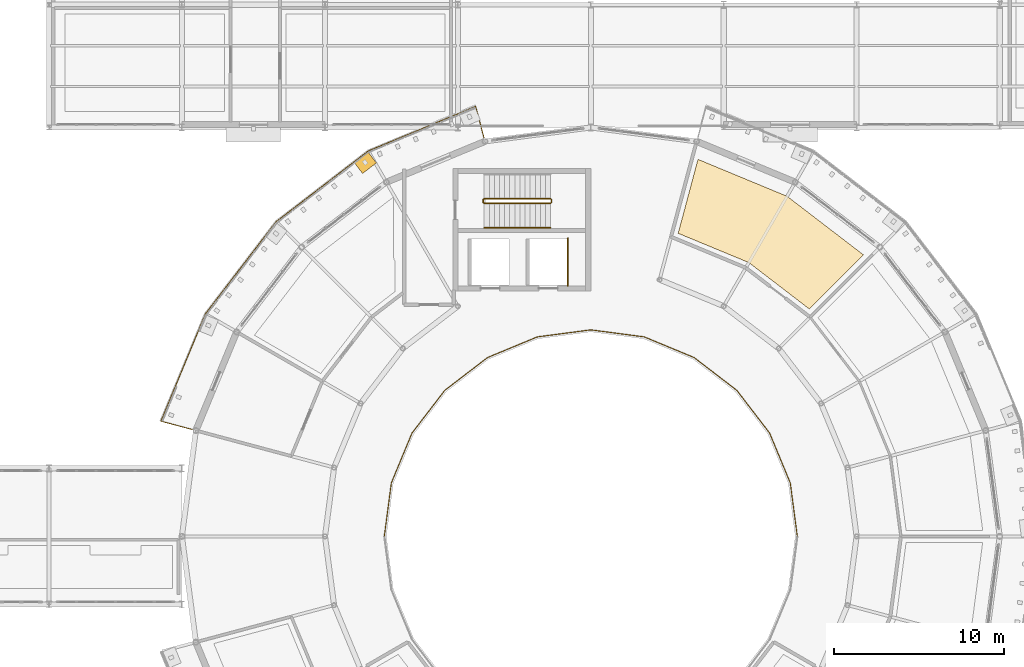
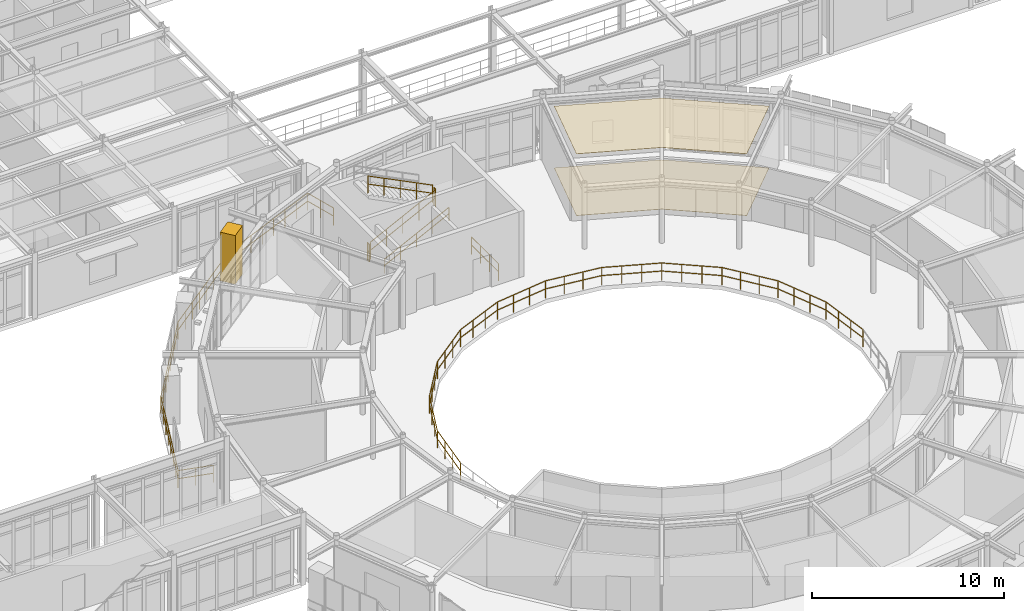
# One storey, part 87 of 90: 8 railings, 2 coverings, 1 shading device.
"""IFC4 building model written with IfcOpenShell, lengths in metres."""

from ifc_helpers import new_model, si_unit, derived_unit, direction, frame, origin, origin_2d, place, context, subcontext, project, spatial, polyline, rectangle, circle, outline, extrude, material, layer, layer_set, type_object, element, save


model = new_model("IFC4")

# Units and contexts
model_context = context("Model", 3, precision=1e-05, world=origin(), true_north=direction((0.0, 1.0)))
body_context = subcontext(model_context, "Body", "Model", "MODEL_VIEW")
ifc_project = project(units=[si_unit("LENGTHUNIT", "METRE"), si_unit("AREAUNIT", "SQUARE_METRE"), si_unit("VOLUMEUNIT", "CUBIC_METRE"), si_unit("PLANEANGLEUNIT", "RADIAN"), si_unit("MASSUNIT", "GRAM", prefix="KILO"), derived_unit("THERMALTRANSMITTANCEUNIT", [(si_unit("POWERUNIT", "WATT"), 1), (si_unit("AREAUNIT", "SQUARE_METRE"), -1), (si_unit("THERMODYNAMICTEMPERATUREUNIT", "KELVIN"), -1)])], contexts=[model_context])

# Site, building, storey
site_placement = place(None, origin())
site = spatial("IfcSite", under=ifc_project, at=site_placement, CompositionType="ELEMENT")
building_placement = place(site_placement, origin())
building = spatial("IfcBuilding", under=site, at=building_placement, Name="Yasenodar Specialist Clinic", CompositionType="ELEMENT")
storey_placement = place(building_placement, frame((0.0, 0.0, 9.0)))
storey = spatial("IfcBuildingStorey", under=building, at=storey_placement, Name="L02", CompositionType="ELEMENT", Elevation=9.0)

# Coverings
ifc_material_1 = material(Name="Hygienic Acoustic Mineral-Fibre Ceiling")
ifc_layer_1 = layer(ifc_material_1, 0.02490234375)
ifc_layer_set_1 = layer_set([ifc_layer_1], Name="Hygienic Acoustic Mineral-Fibre Ceiling")
covering_type_1 = type_object("IfcCoveringType", Name="COV-CEIL-AC", PredefinedType="CEILING", material=ifc_layer_set_1)
covering_1_placement = place(storey_placement, frame((0.0, 0.0, 3.925048828125)))
element("IfcCovering", 1, at=covering_1_placement, inside=storey, type_object=covering_type_1, Name="L02 Apheresis Treatment Room Acoustic Ceiling", PredefinedType="CEILING", context=body_context, shape_type="SweptSolid", body=[
    extrude(outline(polyline([(90.261962890625, 74.8720703125), (90.23388671875, 74.885009765625), (86.1279296875, 76.5859375), (87.291015625, 80.927001953125), (92.52294921875, 78.759033203125), (97.0009765625, 75.323974609375), (93.822998046875, 72.14599609375), (90.31298828125, 74.839111328125), (90.2880859375, 74.85693359375), (90.261962890625, 74.8720703125)])), origin(), (0.0, 0.0, 1.0), 0.02490234375),
])
ifc_material_2 = material(Name="Seamless Epoxy Terrazzo Clinical Flooring")
ifc_layer_2 = layer(ifc_material_2, 0.02001953125)
ifc_layer_set_2 = layer_set([ifc_layer_2], Name="Seamless Epoxy Terrazzo Clinical Flooring")
covering_type_2 = type_object("IfcCoveringType", Name="COV-FLR-TERR", PredefinedType="FLOORING", material=ifc_layer_set_2)
covering_2_placement = place(storey_placement, origin())
element("IfcCovering", 2, at=covering_2_placement, inside=storey, type_object=covering_type_2, Name="L02 Apheresis Treatment Room Terrazzo Flooring", PredefinedType="FLOORING", context=body_context, shape_type="SweptSolid", body=[
    extrude(outline(polyline([(90.261962890625, 74.8720703125), (90.23388671875, 74.885009765625), (86.1279296875, 76.5859375), (87.291015625, 80.927001953125), (92.52294921875, 78.759033203125), (97.0009765625, 75.323974609375), (93.822998046875, 72.14599609375), (90.31298828125, 74.839111328125), (90.2880859375, 74.85693359375), (90.261962890625, 74.8720703125)])), origin(), (0.0, 0.0, 1.0), 0.02001953125),
])

# Railings
ifc_material_3 = material(Name="Bronze Anodized Aluminium and Larch Balustrade", Category="aluminium")
railing_type_1 = type_object("IfcRailingType", Name="RL-BAL-1120", PredefinedType="BALUSTRADE", material=ifc_material_3)
railing_1_placement = place(storey_placement, frame((74.7314453125, 82.194580078125, 0.0)))
element("IfcRailing", 3, at=railing_1_placement, inside=storey, type_object=railing_type_1, Name="L02 Drum V1 Balcony Balustrade 2", PredefinedType="BALUSTRADE", context=body_context, shape_type="SweptSolid", body=[
    extrude(circle(Radius=0.02392578125, at=origin_2d()), frame((0.0, 0.0, 1.09619140625), z_axis=(-0.258885930111, 0.965907902023, 0.0), x_axis=(-0.965907902023, -0.258885930111, 0.0)), (0.0, 0.0, 1.0), 1.900146484375),
    extrude(circle(Radius=0.02392578125, at=origin_2d()), frame((0.0, 0.0, 0.58251953125), z_axis=(-0.258885930111, 0.965907902023, 0.0), x_axis=(-0.965907902023, -0.258885930111, 0.0)), (0.0, 0.0, 1.0), 1.900146484375),
    extrude(circle(Radius=0.02392578125, at=origin_2d()), frame((-0.491943359375, 1.83544921875, 1.09619140625), z_axis=(-0.923878931839, -0.382684882513, 0.0), x_axis=(0.382684882513, -0.923878931839, 0.0)), (0.0, 0.0, 1.0), 6.818603515625),
    extrude(circle(Radius=0.02392578125, at=origin_2d()), frame((-0.491943359375, 1.83544921875, 0.58251953125), z_axis=(-0.923878931839, -0.382684882513, 0.0), x_axis=(0.382684882513, -0.923878931839, 0.0)), (0.0, 0.0, 1.0), 6.818603515625),
    extrude(circle(Radius=0.02392578125, at=origin_2d()), frame((-6.79150390625, -0.77392578125, 1.09619140625), z_axis=(-0.793330238247, -0.608791534996, 0.0), x_axis=(0.608791534996, -0.793330238247, 0.0)), (0.0, 0.0, 1.0), 6.818603515625),
    extrude(circle(Radius=0.02392578125, at=origin_2d()), frame((-6.79150390625, -0.77392578125, 0.58251953125), z_axis=(-0.793330238247, -0.608791534996, 0.0), x_axis=(0.608791534996, -0.793330238247, 0.0)), (0.0, 0.0, 1.0), 6.818603515625),
    extrude(circle(Radius=0.02392578125, at=origin_2d()), frame((-12.200927734375, -4.925048828125, 1.09619140625), z_axis=(-0.608791534996, -0.793330238247, 0.0), x_axis=(0.793330238247, -0.608791534996, 0.0)), (0.0, 0.0, 1.0), 6.818603515625),
    extrude(circle(Radius=0.02392578125, at=origin_2d()), frame((-12.200927734375, -4.925048828125, 0.58251953125), z_axis=(-0.608791534996, -0.793330238247, 0.0), x_axis=(0.793330238247, -0.608791534996, 0.0)), (0.0, 0.0, 1.0), 6.818603515625),
    extrude(circle(Radius=0.02392578125, at=origin_2d()), frame((-16.35205078125, -10.33447265625, 1.09619140625), z_axis=(-0.382672223843, -0.923884175154, 0.0), x_axis=(0.923884175154, -0.382672223843, 0.0)), (0.0, 0.0, 1.0), 6.81884765625),
    extrude(circle(Radius=0.02392578125, at=origin_2d()), frame((-16.35205078125, -10.33447265625, 0.58251953125), z_axis=(-0.382672223843, -0.923884175154, 0.0), x_axis=(0.923884175154, -0.382672223843, 0.0)), (0.0, 0.0, 1.0), 6.81884765625),
    extrude(circle(Radius=0.02392578125, at=origin_2d()), frame((-18.96142578125, -16.63427734375, 1.09619140625), z_axis=(0.96593141835, -0.258798174346, 0.0), x_axis=(0.258798174346, 0.96593141835, 0.0)), (0.0, 0.0, 1.0), 1.89990234375),
    extrude(circle(Radius=0.02392578125, at=origin_2d()), frame((-18.96142578125, -16.63427734375, 0.58251953125), z_axis=(0.96593141835, -0.258798174346, 0.0), x_axis=(0.258798174346, 0.96593141835, 0.0)), (0.0, 0.0, 1.0), 1.89990234375),
    extrude(circle(Radius=0.02099609375, at=origin_2d()), origin(), (0.0, 0.0, 1.0), 1.072021484375),
    extrude(circle(Radius=0.02099609375, at=origin_2d()), frame((-0.24609375, 0.917724609375, 0.0)), (0.0, 0.0, 1.0), 1.072021484375),
    extrude(circle(Radius=0.02099609375, at=origin_2d()), frame((-0.491943359375, 1.83544921875, 0.0)), (0.0, 0.0, 1.0), 1.072021484375),
    extrude(circle(Radius=0.02099609375, at=origin_2d()), frame((-1.391845703125, 1.462646484375, 0.0)), (0.0, 0.0, 1.0), 1.072021484375),
    extrude(circle(Radius=0.02099609375, at=origin_2d()), frame((-2.291748046875, 1.08984375, 0.0)), (0.0, 0.0, 1.0), 1.072021484375),
    extrude(circle(Radius=0.02099609375, at=origin_2d()), frame((-3.191650390625, 0.717041015625, 0.0)), (0.0, 0.0, 1.0), 1.072021484375),
    extrude(circle(Radius=0.02099609375, at=origin_2d()), frame((-4.091796875, 0.344482421875, 0.0)), (0.0, 0.0, 1.0), 1.072021484375),
    extrude(circle(Radius=0.02099609375, at=origin_2d()), frame((-4.99169921875, -0.0283203125, 0.0)), (0.0, 0.0, 1.0), 1.072021484375),
    extrude(circle(Radius=0.02099609375, at=origin_2d()), frame((-5.8916015625, -0.401123046875, 0.0)), (0.0, 0.0, 1.0), 1.072021484375),
    extrude(circle(Radius=0.02099609375, at=origin_2d()), frame((-6.79150390625, -0.77392578125, 0.0)), (0.0, 0.0, 1.0), 1.072021484375),
    extrude(circle(Radius=0.02099609375, at=origin_2d()), frame((-7.564208984375, -1.366943359375, 0.0)), (0.0, 0.0, 1.0), 1.072021484375),
    extrude(circle(Radius=0.02099609375, at=origin_2d()), frame((-8.337158203125, -1.9599609375, 0.0)), (0.0, 0.0, 1.0), 1.072021484375),
    extrude(circle(Radius=0.02099609375, at=origin_2d()), frame((-9.10986328125, -2.552978515625, 0.0)), (0.0, 0.0, 1.0), 1.072021484375),
    extrude(circle(Radius=0.02099609375, at=origin_2d()), frame((-9.882568359375, -3.14599609375, 0.0)), (0.0, 0.0, 1.0), 1.072021484375),
    extrude(circle(Radius=0.02099609375, at=origin_2d()), frame((-10.6552734375, -3.739013671875, 0.0)), (0.0, 0.0, 1.0), 1.072021484375),
    extrude(circle(Radius=0.02099609375, at=origin_2d()), frame((-11.42822265625, -4.33203125, 0.0)), (0.0, 0.0, 1.0), 1.072021484375),
    extrude(circle(Radius=0.02099609375, at=origin_2d()), frame((-12.200927734375, -4.925048828125, 0.0)), (0.0, 0.0, 1.0), 1.072021484375),
    extrude(circle(Radius=0.02099609375, at=origin_2d()), frame((-12.7939453125, -5.69775390625, 0.0)), (0.0, 0.0, 1.0), 1.072021484375),
    extrude(circle(Radius=0.02099609375, at=origin_2d()), frame((-13.386962890625, -6.470703125, 0.0)), (0.0, 0.0, 1.0), 1.072021484375),
    extrude(circle(Radius=0.02099609375, at=origin_2d()), frame((-13.97998046875, -7.243408203125, 0.0)), (0.0, 0.0, 1.0), 1.072021484375),
    extrude(circle(Radius=0.02099609375, at=origin_2d()), frame((-14.572998046875, -8.01611328125, 0.0)), (0.0, 0.0, 1.0), 1.072021484375),
    extrude(circle(Radius=0.02099609375, at=origin_2d()), frame((-15.166015625, -8.788818359375, 0.0)), (0.0, 0.0, 1.0), 1.072021484375),
    extrude(circle(Radius=0.02099609375, at=origin_2d()), frame((-15.759033203125, -9.561767578125, 0.0)), (0.0, 0.0, 1.0), 1.072021484375),
    extrude(circle(Radius=0.02099609375, at=origin_2d()), frame((-16.35205078125, -10.33447265625, 0.0)), (0.0, 0.0, 1.0), 1.072021484375),
    extrude(circle(Radius=0.02099609375, at=origin_2d()), frame((-16.724853515625, -11.234375, 0.0)), (0.0, 0.0, 1.0), 1.072021484375),
    extrude(circle(Radius=0.02099609375, at=origin_2d()), frame((-17.09765625, -12.134521484375, 0.0)), (0.0, 0.0, 1.0), 1.072021484375),
    extrude(circle(Radius=0.02099609375, at=origin_2d()), frame((-17.470458984375, -13.034423828125, 0.0)), (0.0, 0.0, 1.0), 1.072021484375),
    extrude(circle(Radius=0.02099609375, at=origin_2d()), frame((-17.843017578125, -13.934326171875, 0.0)), (0.0, 0.0, 1.0), 1.072021484375),
    extrude(circle(Radius=0.02099609375, at=origin_2d()), frame((-18.2158203125, -14.834228515625, 0.0)), (0.0, 0.0, 1.0), 1.072021484375),
    extrude(circle(Radius=0.02099609375, at=origin_2d()), frame((-18.588623046875, -15.734375, 0.0)), (0.0, 0.0, 1.0), 1.072021484375),
    extrude(circle(Radius=0.02099609375, at=origin_2d()), frame((-18.96142578125, -16.63427734375, 0.0)), (0.0, 0.0, 1.0), 1.072021484375),
    extrude(circle(Radius=0.02099609375, at=origin_2d()), frame((-18.0439453125, -16.880126953125, 0.0)), (0.0, 0.0, 1.0), 1.072021484375),
    extrude(circle(Radius=0.02099609375, at=origin_2d()), frame((-17.126220703125, -17.1259765625, 0.0)), (0.0, 0.0, 1.0), 1.072021484375),
])
ifc_material_4 = material(Name="Steel S355 Painted Guardrail", Category="steel")
railing_type_2 = type_object("IfcRailingType", Name="RL-GRD-1120", PredefinedType="GUARDRAIL", material=ifc_material_4)
railing_2_placement = place(storey_placement, frame((79.64990234375, 73.5, 0.0)))
element("IfcRailing", 4, at=railing_2_placement, inside=storey, type_object=railing_type_2, Name="L02 Core C3 Lift LF-07 Shaft Guardrail", PredefinedType="GUARDRAIL", context=body_context, shape_type="SweptSolid", body=[
    extrude(circle(Radius=0.02392578125, at=origin_2d()), frame((0.0, 0.0, 1.09619140625), z_axis=(0.0, 1.0, 0.0), x_axis=(-1.0, 0.0, 0.0)), (0.0, 0.0, 1.0), 2.800048828125),
    extrude(circle(Radius=0.02392578125, at=origin_2d()), frame((0.0, 0.0, 0.58251953125), z_axis=(0.0, 1.0, 0.0), x_axis=(-1.0, 0.0, 0.0)), (0.0, 0.0, 1.0), 2.800048828125),
    extrude(circle(Radius=0.02099609375, at=origin_2d()), origin(), (0.0, 0.0, 1.0), 1.072021484375),
    extrude(circle(Radius=0.02099609375, at=origin_2d()), frame((0.0, 0.933349609375, 0.0)), (0.0, 0.0, 1.0), 1.072021484375),
    extrude(circle(Radius=0.02099609375, at=origin_2d()), frame((0.0, 1.86669921875, 0.0)), (0.0, 0.0, 1.0), 1.072021484375),
    extrude(circle(Radius=0.02099609375, at=origin_2d()), frame((0.0, 2.800048828125, 0.0)), (0.0, 0.0, 1.0), 1.072021484375),
])
ifc_material_5 = material(Name="Steel S355 Painted Stair Guardrail", Category="steel")
railing_type_3 = type_object("IfcRailingType", Name="RL-ST-GRD", PredefinedType="GUARDRAIL", material=ifc_material_5)
railing_3_placement = place(storey_placement, frame((74.739990234375, 78.35009765625, 0.14990234375)))
element("IfcRailing", 5, at=railing_3_placement, inside=storey, type_object=railing_type_3, Name="L02 ST-03 stair guard 1", PredefinedType="GUARDRAIL", context=body_context, shape_type="SweptSolid", body=[
    extrude(circle(Radius=0.02392578125, at=origin_2d()), frame((0.0, 0.0, 1.09619140625), z_axis=(0.894404793364, 0.0, 0.447258387967), x_axis=(0.0, 1.0, 0.0)), (0.0, 0.0, 1.0), 4.3603515625),
    extrude(circle(Radius=0.02392578125, at=origin_2d()), frame((0.0, 0.0, 0.58251953125), z_axis=(0.894404793364, 0.0, 0.447258387967), x_axis=(0.0, 1.0, 0.0)), (0.0, 0.0, 1.0), 4.3603515625),
    extrude(circle(Radius=0.02099609375, at=origin_2d()), origin(), (0.0, 0.0, 1.0), 1.072021484375),
    extrude(circle(Radius=0.02099609375, at=origin_2d()), frame((0.97509765625, 0.0, 0.487548828125)), (0.0, 0.0, 1.0), 1.072021484375),
    extrude(circle(Radius=0.02099609375, at=origin_2d()), frame((1.949951171875, 0.0, 0.97509765625)), (0.0, 0.0, 1.0), 1.072021484375),
    extrude(circle(Radius=0.02099609375, at=origin_2d()), frame((2.9248046875, 0.0, 1.462646484375)), (0.0, 0.0, 1.0), 1.072021484375),
    extrude(circle(Radius=0.02099609375, at=origin_2d()), frame((3.89990234375, 0.0, 1.9501953125)), (0.0, 0.0, 1.0), 1.072021484375),
])
railing_4_placement = place(storey_placement, frame((78.68994140625, 78.39990234375, 2.10009765625)))
element("IfcRailing", 6, at=railing_4_placement, inside=storey, type_object=railing_type_3, Name="L02 ST-03 stair guard 2", PredefinedType="GUARDRAIL", context=body_context, shape_type="SweptSolid", body=[
    extrude(circle(Radius=0.02392578125, at=origin_2d()), frame((0.0, 0.0, 1.09619140625), z_axis=(0.0, 1.0, 0.0), x_axis=(-1.0, 0.0, 0.0)), (0.0, 0.0, 1.0), 0.170166015625),
    extrude(circle(Radius=0.02392578125, at=origin_2d()), frame((0.0, 0.0, 0.58251953125), z_axis=(0.0, 1.0, 0.0), x_axis=(-1.0, 0.0, 0.0)), (0.0, 0.0, 1.0), 0.170166015625),
    extrude(circle(Radius=0.02099609375, at=origin_2d()), origin(), (0.0, 0.0, 1.0), 1.072021484375),
    extrude(circle(Radius=0.02099609375, at=origin_2d()), frame((0.0, 0.170166015625, 0.0)), (0.0, 0.0, 1.0), 1.072021484375),
])
railing_5_placement = place(storey_placement, frame((78.639892578125, 78.6201171875, 2.25)))
element("IfcRailing", 7, at=railing_5_placement, inside=storey, type_object=railing_type_3, Name="L02 ST-03 stair guard 3", PredefinedType="GUARDRAIL", context=body_context, shape_type="SweptSolid", body=[
    extrude(circle(Radius=0.02392578125, at=origin_2d()), frame((0.0, 0.0, 1.09619140625), z_axis=(-0.894427191, 0.0, 0.4472135955), x_axis=(0.0, -1.0, 0.0)), (0.0, 0.0, 1.0), 4.360107421875),
    extrude(circle(Radius=0.02392578125, at=origin_2d()), frame((0.0, 0.0, 0.58251953125), z_axis=(-0.894427191, 0.0, 0.4472135955), x_axis=(0.0, -1.0, 0.0)), (0.0, 0.0, 1.0), 4.360107421875),
    extrude(circle(Radius=0.02099609375, at=origin_2d()), origin(), (0.0, 0.0, 1.0), 1.072021484375),
    extrude(circle(Radius=0.02099609375, at=origin_2d()), frame((-0.97509765625, 0.0, 0.487548828125)), (0.0, 0.0, 1.0), 1.072021484375),
    extrude(circle(Radius=0.02099609375, at=origin_2d()), frame((-1.949951171875, 0.0, 0.97509765625)), (0.0, 0.0, 1.0), 1.072021484375),
    extrude(circle(Radius=0.02099609375, at=origin_2d()), frame((-2.9248046875, 0.0, 1.46240234375)), (0.0, 0.0, 1.0), 1.072021484375),
    extrude(circle(Radius=0.02099609375, at=origin_2d()), frame((-3.89990234375, 0.0, 1.949951171875)), (0.0, 0.0, 1.0), 1.072021484375),
])
railing_6_placement = place(storey_placement, frame((74.68994140625, 78.39990234375, 0.0)))
element("IfcRailing", 8, at=railing_6_placement, inside=storey, type_object=railing_type_3, Name="L02 ST-03 stair guard 4", PredefinedType="GUARDRAIL", context=body_context, shape_type="SweptSolid", body=[
    extrude(circle(Radius=0.02392578125, at=origin_2d()), frame((0.0, 0.0, 1.09619140625), z_axis=(0.0, 1.0, 0.0), x_axis=(-1.0, 0.0, 0.0)), (0.0, 0.0, 1.0), 0.170166015625),
    extrude(circle(Radius=0.02392578125, at=origin_2d()), frame((0.0, 0.0, 0.58251953125), z_axis=(0.0, 1.0, 0.0), x_axis=(-1.0, 0.0, 0.0)), (0.0, 0.0, 1.0), 0.170166015625),
    extrude(circle(Radius=0.02099609375, at=origin_2d()), origin(), (0.0, 0.0, 1.0), 1.072021484375),
    extrude(circle(Radius=0.02099609375, at=origin_2d()), frame((0.0, 0.170166015625, 0.0)), (0.0, 0.0, 1.0), 1.072021484375),
])
railing_7_placement = place(storey_placement, frame((93.1201171875, 58.800048828125, 0.0)))
element("IfcRailing", 9, at=railing_7_placement, inside=storey, type_object=railing_type_3, Name="L02 Drum V1 Central Atrium North Guardrail", PredefinedType="GUARDRAIL", context=body_context, shape_type="SweptSolid", body=[
    extrude(circle(Radius=0.02392578125, at=origin_2d()), frame((0.0, 0.0, 1.09619140625), z_axis=(-0.130556307594, 0.991440896144, 0.0), x_axis=(-0.991440896144, -0.130556307594, 0.0)), (0.0, 0.0, 1.0), 3.1640625),
    extrude(circle(Radius=0.02392578125, at=origin_2d()), frame((0.0, 0.0, 0.58251953125), z_axis=(-0.130556307594, 0.991440896144, 0.0), x_axis=(-0.991440896144, -0.130556307594, 0.0)), (0.0, 0.0, 1.0), 3.1640625),
    extrude(circle(Radius=0.02392578125, at=origin_2d()), frame((-0.4130859375, 3.136962890625, 1.09619140625), z_axis=(-0.382724333475, 0.923862589656, 0.0), x_axis=(-0.923862589656, -0.382724333475, 0.0)), (0.0, 0.0, 1.0), 3.1640625),
    extrude(circle(Radius=0.02392578125, at=origin_2d()), frame((-0.4130859375, 3.136962890625, 0.58251953125), z_axis=(-0.382724333475, 0.923862589656, 0.0), x_axis=(-0.923862589656, -0.382724333475, 0.0)), (0.0, 0.0, 1.0), 3.1640625),
    extrude(circle(Radius=0.02392578125, at=origin_2d()), frame((-1.6240234375, 6.06005859375, 1.09619140625), z_axis=(-0.608766831684, 0.793349194644, 0.0), x_axis=(-0.793349194644, -0.608766831684, 0.0)), (0.0, 0.0, 1.0), 3.163818359375),
    extrude(circle(Radius=0.02392578125, at=origin_2d()), frame((-1.6240234375, 6.06005859375, 0.58251953125), z_axis=(-0.608766831684, 0.793349194644, 0.0), x_axis=(-0.793349194644, -0.608766831684, 0.0)), (0.0, 0.0, 1.0), 3.163818359375),
    extrude(circle(Radius=0.02392578125, at=origin_2d()), frame((-3.550048828125, 8.570068359375, 1.09619140625), z_axis=(-0.793349194644, 0.608766831684, 0.0), x_axis=(-0.608766831684, -0.793349194644, 0.0)), (0.0, 0.0, 1.0), 3.163818359375),
    extrude(circle(Radius=0.02392578125, at=origin_2d()), frame((-3.550048828125, 8.570068359375, 0.58251953125), z_axis=(-0.793349194644, 0.608766831684, 0.0), x_axis=(-0.608766831684, -0.793349194644, 0.0)), (0.0, 0.0, 1.0), 3.163818359375),
    extrude(circle(Radius=0.02392578125, at=origin_2d()), frame((-6.06005859375, 10.49609375, 1.09619140625), z_axis=(-0.923862589656, 0.382724333475, 0.0), x_axis=(-0.382724333475, -0.923862589656, 0.0)), (0.0, 0.0, 1.0), 3.1640625),
    extrude(circle(Radius=0.02392578125, at=origin_2d()), frame((-6.06005859375, 10.49609375, 0.58251953125), z_axis=(-0.923862589656, 0.382724333475, 0.0), x_axis=(-0.382724333475, -0.923862589656, 0.0)), (0.0, 0.0, 1.0), 3.1640625),
    extrude(circle(Radius=0.02392578125, at=origin_2d()), frame((-8.983154296875, 11.70703125, 1.09619140625), z_axis=(-0.991450880968, 0.130480460714, 0.0), x_axis=(-0.130480460714, -0.991450880968, 0.0)), (0.0, 0.0, 1.0), 3.1640625),
    extrude(circle(Radius=0.02392578125, at=origin_2d()), frame((-8.983154296875, 11.70703125, 0.58251953125), z_axis=(-0.991450880968, 0.130480460714, 0.0), x_axis=(-0.130480460714, -0.991450880968, 0.0)), (0.0, 0.0, 1.0), 3.1640625),
    extrude(circle(Radius=0.02392578125, at=origin_2d()), frame((-12.1201171875, 12.119873046875, 1.09619140625), z_axis=(-0.991450880968, -0.130480460714, 0.0), x_axis=(0.130480460714, -0.991450880968, 0.0)), (0.0, 0.0, 1.0), 3.1640625),
    extrude(circle(Radius=0.02392578125, at=origin_2d()), frame((-12.1201171875, 12.119873046875, 0.58251953125), z_axis=(-0.991450880968, -0.130480460714, 0.0), x_axis=(0.130480460714, -0.991450880968, 0.0)), (0.0, 0.0, 1.0), 3.1640625),
    extrude(circle(Radius=0.02392578125, at=origin_2d()), frame((-15.257080078125, 11.70703125, 1.09619140625), z_axis=(-0.923862589656, -0.382724333475, 0.0), x_axis=(0.382724333475, -0.923862589656, 0.0)), (0.0, 0.0, 1.0), 3.1640625),
    extrude(circle(Radius=0.02392578125, at=origin_2d()), frame((-15.257080078125, 11.70703125, 0.58251953125), z_axis=(-0.923862589656, -0.382724333475, 0.0), x_axis=(0.382724333475, -0.923862589656, 0.0)), (0.0, 0.0, 1.0), 3.1640625),
    extrude(circle(Radius=0.02392578125, at=origin_2d()), frame((-18.18017578125, 10.49609375, 1.09619140625), z_axis=(-0.793349194644, -0.608766831684, 0.0), x_axis=(0.608766831684, -0.793349194644, 0.0)), (0.0, 0.0, 1.0), 3.163818359375),
    extrude(circle(Radius=0.02392578125, at=origin_2d()), frame((-18.18017578125, 10.49609375, 0.58251953125), z_axis=(-0.793349194644, -0.608766831684, 0.0), x_axis=(0.608766831684, -0.793349194644, 0.0)), (0.0, 0.0, 1.0), 3.163818359375),
    extrude(circle(Radius=0.02392578125, at=origin_2d()), frame((-20.690185546875, 8.570068359375, 1.09619140625), z_axis=(-0.608766831684, -0.793349194644, 0.0), x_axis=(0.793349194644, -0.608766831684, 0.0)), (0.0, 0.0, 1.0), 3.163818359375),
    extrude(circle(Radius=0.02392578125, at=origin_2d()), frame((-20.690185546875, 8.570068359375, 0.58251953125), z_axis=(-0.608766831684, -0.793349194644, 0.0), x_axis=(0.793349194644, -0.608766831684, 0.0)), (0.0, 0.0, 1.0), 3.163818359375),
    extrude(circle(Radius=0.02392578125, at=origin_2d()), frame((-22.6162109375, 6.06005859375, 1.09619140625), z_axis=(-0.382724333475, -0.923862589656, 0.0), x_axis=(0.923862589656, -0.382724333475, 0.0)), (0.0, 0.0, 1.0), 3.1640625),
    extrude(circle(Radius=0.02392578125, at=origin_2d()), frame((-22.6162109375, 6.06005859375, 0.58251953125), z_axis=(-0.382724333475, -0.923862589656, 0.0), x_axis=(0.923862589656, -0.382724333475, 0.0)), (0.0, 0.0, 1.0), 3.1640625),
    extrude(circle(Radius=0.02392578125, at=origin_2d()), frame((-23.8271484375, 3.136962890625, 1.09619140625), z_axis=(-0.130556307594, -0.991440896144, 0.0), x_axis=(0.991440896144, -0.130556307594, 0.0)), (0.0, 0.0, 1.0), 3.1640625),
    extrude(circle(Radius=0.02392578125, at=origin_2d()), frame((-23.8271484375, 3.136962890625, 0.58251953125), z_axis=(-0.130556307594, -0.991440896144, 0.0), x_axis=(0.991440896144, -0.130556307594, 0.0)), (0.0, 0.0, 1.0), 3.1640625),
    extrude(circle(Radius=0.02099609375, at=origin_2d()), origin(), (0.0, 0.0, 1.0), 1.072021484375),
    extrude(circle(Radius=0.02099609375, at=origin_2d()), frame((-0.1376953125, 1.045654296875, 0.0)), (0.0, 0.0, 1.0), 1.072021484375),
    extrude(circle(Radius=0.02099609375, at=origin_2d()), frame((-0.275390625, 2.09130859375, 0.0)), (0.0, 0.0, 1.0), 1.072021484375),
    extrude(circle(Radius=0.02099609375, at=origin_2d()), frame((-0.4130859375, 3.136962890625, 0.0)), (0.0, 0.0, 1.0), 1.072021484375),
    extrude(circle(Radius=0.02099609375, at=origin_2d()), frame((-0.816650390625, 4.111328125, 0.0)), (0.0, 0.0, 1.0), 1.072021484375),
    extrude(circle(Radius=0.02099609375, at=origin_2d()), frame((-1.220458984375, 5.085693359375, 0.0)), (0.0, 0.0, 1.0), 1.072021484375),
    extrude(circle(Radius=0.02099609375, at=origin_2d()), frame((-1.6240234375, 6.06005859375, 0.0)), (0.0, 0.0, 1.0), 1.072021484375),
    extrude(circle(Radius=0.02099609375, at=origin_2d()), frame((-2.26611328125, 6.896728515625, 0.0)), (0.0, 0.0, 1.0), 1.072021484375),
    extrude(circle(Radius=0.02099609375, at=origin_2d()), frame((-2.907958984375, 7.7333984375, 0.0)), (0.0, 0.0, 1.0), 1.072021484375),
    extrude(circle(Radius=0.02099609375, at=origin_2d()), frame((-3.550048828125, 8.570068359375, 0.0)), (0.0, 0.0, 1.0), 1.072021484375),
    extrude(circle(Radius=0.02099609375, at=origin_2d()), frame((-4.38671875, 9.212158203125, 0.0)), (0.0, 0.0, 1.0), 1.072021484375),
    extrude(circle(Radius=0.02099609375, at=origin_2d()), frame((-5.223388671875, 9.85400390625, 0.0)), (0.0, 0.0, 1.0), 1.072021484375),
    extrude(circle(Radius=0.02099609375, at=origin_2d()), frame((-6.06005859375, 10.49609375, 0.0)), (0.0, 0.0, 1.0), 1.072021484375),
    extrude(circle(Radius=0.02099609375, at=origin_2d()), frame((-7.034423828125, 10.899658203125, 0.0)), (0.0, 0.0, 1.0), 1.072021484375),
    extrude(circle(Radius=0.02099609375, at=origin_2d()), frame((-8.0087890625, 11.303466796875, 0.0)), (0.0, 0.0, 1.0), 1.072021484375),
    extrude(circle(Radius=0.02099609375, at=origin_2d()), frame((-8.983154296875, 11.70703125, 0.0)), (0.0, 0.0, 1.0), 1.072021484375),
    extrude(circle(Radius=0.02099609375, at=origin_2d()), frame((-10.02880859375, 11.8447265625, 0.0)), (0.0, 0.0, 1.0), 1.072021484375),
    extrude(circle(Radius=0.02099609375, at=origin_2d()), frame((-11.074462890625, 11.982177734375, 0.0)), (0.0, 0.0, 1.0), 1.072021484375),
    extrude(circle(Radius=0.02099609375, at=origin_2d()), frame((-12.1201171875, 12.119873046875, 0.0)), (0.0, 0.0, 1.0), 1.072021484375),
    extrude(circle(Radius=0.02099609375, at=origin_2d()), frame((-13.165771484375, 11.982177734375, 0.0)), (0.0, 0.0, 1.0), 1.072021484375),
    extrude(circle(Radius=0.02099609375, at=origin_2d()), frame((-14.21142578125, 11.8447265625, 0.0)), (0.0, 0.0, 1.0), 1.072021484375),
    extrude(circle(Radius=0.02099609375, at=origin_2d()), frame((-15.257080078125, 11.70703125, 0.0)), (0.0, 0.0, 1.0), 1.072021484375),
    extrude(circle(Radius=0.02099609375, at=origin_2d()), frame((-16.2314453125, 11.303466796875, 0.0)), (0.0, 0.0, 1.0), 1.072021484375),
    extrude(circle(Radius=0.02099609375, at=origin_2d()), frame((-17.205810546875, 10.899658203125, 0.0)), (0.0, 0.0, 1.0), 1.072021484375),
    extrude(circle(Radius=0.02099609375, at=origin_2d()), frame((-18.18017578125, 10.49609375, 0.0)), (0.0, 0.0, 1.0), 1.072021484375),
    extrude(circle(Radius=0.02099609375, at=origin_2d()), frame((-19.016845703125, 9.85400390625, 0.0)), (0.0, 0.0, 1.0), 1.072021484375),
    extrude(circle(Radius=0.02099609375, at=origin_2d()), frame((-19.853515625, 9.212158203125, 0.0)), (0.0, 0.0, 1.0), 1.072021484375),
    extrude(circle(Radius=0.02099609375, at=origin_2d()), frame((-20.690185546875, 8.570068359375, 0.0)), (0.0, 0.0, 1.0), 1.072021484375),
    extrude(circle(Radius=0.02099609375, at=origin_2d()), frame((-21.332275390625, 7.7333984375, 0.0)), (0.0, 0.0, 1.0), 1.072021484375),
    extrude(circle(Radius=0.02099609375, at=origin_2d()), frame((-21.97412109375, 6.896728515625, 0.0)), (0.0, 0.0, 1.0), 1.072021484375),
    extrude(circle(Radius=0.02099609375, at=origin_2d()), frame((-22.6162109375, 6.06005859375, 0.0)), (0.0, 0.0, 1.0), 1.072021484375),
    extrude(circle(Radius=0.02099609375, at=origin_2d()), frame((-23.019775390625, 5.085693359375, 0.0)), (0.0, 0.0, 1.0), 1.072021484375),
    extrude(circle(Radius=0.02099609375, at=origin_2d()), frame((-23.423583984375, 4.111328125, 0.0)), (0.0, 0.0, 1.0), 1.072021484375),
    extrude(circle(Radius=0.02099609375, at=origin_2d()), frame((-23.8271484375, 3.136962890625, 0.0)), (0.0, 0.0, 1.0), 1.072021484375),
    extrude(circle(Radius=0.02099609375, at=origin_2d()), frame((-23.96484375, 2.09130859375, 0.0)), (0.0, 0.0, 1.0), 1.072021484375),
    extrude(circle(Radius=0.02099609375, at=origin_2d()), frame((-24.1025390625, 1.045654296875, 0.0)), (0.0, 0.0, 1.0), 1.072021484375),
    extrude(circle(Radius=0.02099609375, at=origin_2d()), frame((-24.240234375, 0.0, 0.0)), (0.0, 0.0, 1.0), 1.072021484375),
])
ifc_material_6 = material(Name="Brushed Stainless Steel Handrail", Category="steel")
railing_type_4 = type_object("IfcRailingType", Name="RL-ST-HND", PredefinedType="HANDRAIL", material=ifc_material_6)
railing_8_placement = place(storey_placement, frame((74.739990234375, 76.909912109375, 0.14990234375)))
element("IfcRailing", 10, at=railing_8_placement, inside=storey, type_object=railing_type_4, Name="L02 ST-03 stair handrail 1", PredefinedType="HANDRAIL", context=body_context, shape_type="SweptSolid", body=[
    extrude(circle(Radius=0.02392578125, at=origin_2d()), frame((0.0, 0.0, 0.8759765625), z_axis=(0.894404793364, 0.0, 0.447258387967), x_axis=(0.0, 1.0, 0.0)), (0.0, 0.0, 1.0), 4.3603515625),
    extrude(circle(Radius=0.02392578125, at=origin_2d()), frame((0.0, 0.0, 0.468017578125), z_axis=(0.894404793364, 0.0, 0.447258387967), x_axis=(0.0, 1.0, 0.0)), (0.0, 0.0, 1.0), 4.3603515625),
    extrude(circle(Radius=0.02099609375, at=origin_2d()), origin(), (0.0, 0.0, 1.0), 0.851806640625),
    extrude(circle(Radius=0.02099609375, at=origin_2d()), frame((0.97509765625, 0.0, 0.487548828125)), (0.0, 0.0, 1.0), 0.851806640625),
    extrude(circle(Radius=0.02099609375, at=origin_2d()), frame((1.949951171875, 0.0, 0.97509765625)), (0.0, 0.0, 1.0), 0.851806640625),
    extrude(circle(Radius=0.02099609375, at=origin_2d()), frame((2.9248046875, 0.0, 1.462646484375)), (0.0, 0.0, 1.0), 0.851806640625),
    extrude(circle(Radius=0.02099609375, at=origin_2d()), frame((3.89990234375, 0.0, 1.9501953125)), (0.0, 0.0, 1.0), 0.851806640625),
])

# Shading device
ifc_material_7 = material(Name="Thermally Modified Larch and Bronze Girih Jali Shutter")
shading_device_type = type_object("IfcShadingDeviceType", Name="SHD-JALI-850", PredefinedType="SHUTTER", material=ifc_material_7)
shading_device_placement = place(storey_placement, frame((67.752197265625, 80.74609375, -0.005126953125), z_axis=(0.0, 0.0, 1.0), x_axis=(-0.793351200869, -0.608764217148, 0.0)))
element("IfcShadingDevice", 11, at=shading_device_placement, inside=storey, type_object=shading_device_type, Name="L02 Mughal Girih Jali Sliding Shutter Frame 0142", PredefinedType="SHUTTER", context=body_context, shape_type="SweptSolid", body=[
    extrude(rectangle(XDim=1.02001953125, YDim=0.85009765625, at=origin_2d()), origin(), (0.0, 0.0, 1.0), 3.10009765625),
])

save(model, "model.ifc")
